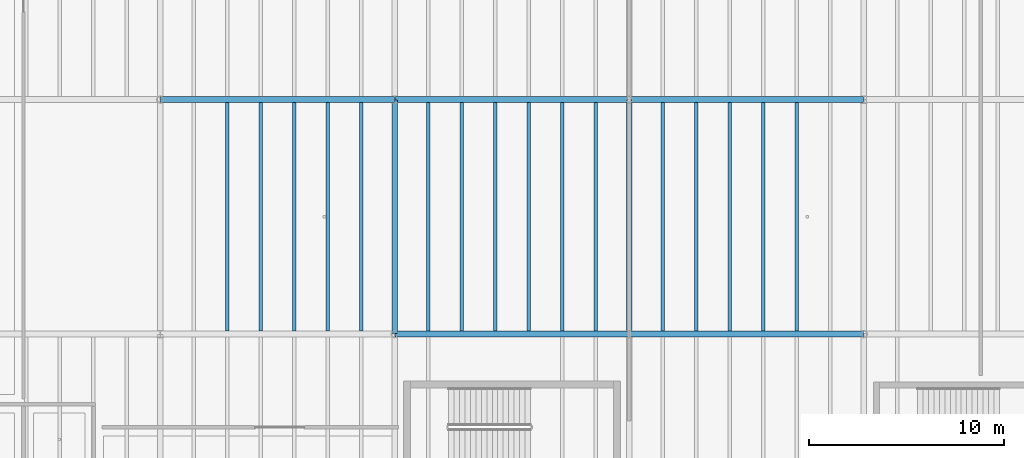
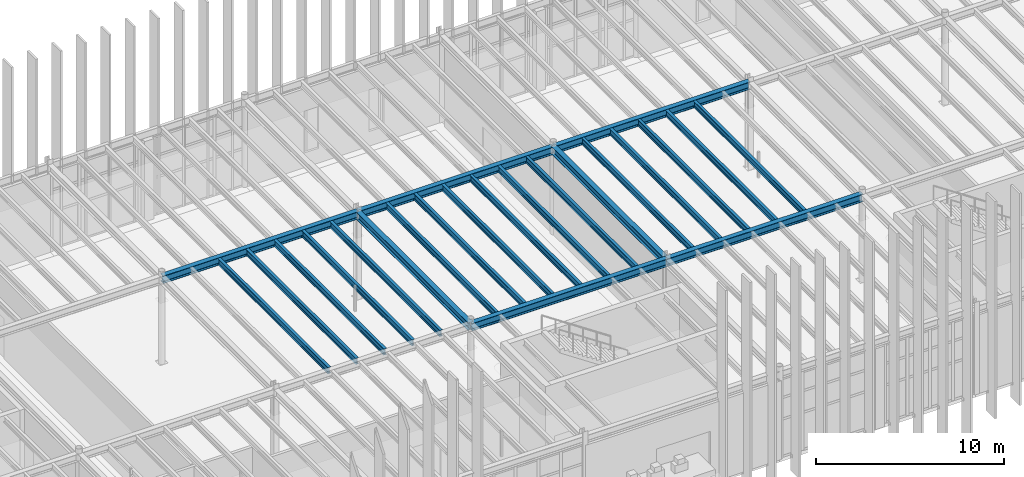
# One storey, part 24 of 83: 23 beams.
"""IFC4 building model written with IfcOpenShell, lengths in metres."""

from ifc_helpers import new_model, si_unit, direction, frame, origin, origin_2d, place, context, subcontext, project, spatial, i_section, extrude, material, material_profile, profile_set, type_object, element, save


model = new_model("IFC4")

# Units and contexts
model_context = context("Model", 3, precision=1e-05, world=origin(), true_north=direction((0.0, 1.0)))
body_context = subcontext(model_context, "Body", "Model", "MODEL_VIEW")
ifc_project = project(units=[si_unit("LENGTHUNIT", "METRE"), si_unit("AREAUNIT", "SQUARE_METRE"), si_unit("VOLUMEUNIT", "CUBIC_METRE"), si_unit("PLANEANGLEUNIT", "RADIAN"), si_unit("MASSUNIT", "GRAM", prefix="KILO")], contexts=[model_context])

# Site, building, storey
site_placement = place(None, origin())
site = spatial("IfcSite", under=ifc_project, at=site_placement, CompositionType="ELEMENT")
building_placement = place(site_placement, origin())
building = spatial("IfcBuilding", under=site, at=building_placement, Name="Zlatogorsky Bluff Art Gallery", CompositionType="ELEMENT")
storey_placement = place(building_placement, frame((0.0, 0.0, 10.800048828125)))
storey = spatial("IfcBuildingStorey", under=building, at=storey_placement, Name="L02", CompositionType="ELEMENT", Elevation=10.800048828125)

# Beams
ifc_material = material(Name="Steel S355", Category="steel")
ifc_material_profile_1 = material_profile(ifc_material, i_section(OverallWidth=0.300048828125, OverallDepth=0.489990234375, WebThickness=0.011962890625, FlangeThickness=0.02294921875, FilletRadius=0.027099609375, at=origin_2d()), Name="HEA 500")
ifc_profile_set_1 = profile_set([ifc_material_profile_1], Name="Steel S355")
beam_type_1 = type_object("IfcBeamType", Name="Beam BM-07 HEA 500", PredefinedType="BEAM", material=ifc_profile_set_1)
for number, where, z_axis, x_axis, name in (
    (1, (60.014892578125, 108.0, 5.445068359375), (1.0, 0.0, 0.0), (0.0, 1.0, 0.0), "Primary girder BM-07 L02 F-G/11"),
    (2, (72.014892578125, 96.0, 5.445068359375), (1.0, 0.0, 0.0), (0.0, 1.0, 0.0), "Primary girder BM-07 L02 G-H/10"),
    (3, (72.014892578125, 108.0, 5.445068359375), (1.0, 0.0, 0.0), (0.0, 1.0, 0.0), "Primary girder BM-07 L02 G-H/11"),
    (4, (84.014892578125, 96.0, 5.445068359375), (1.0, 0.0, 0.0), (0.0, 1.0, 0.0), "Primary girder BM-07 L02 H-J/10"),
    (5, (84.014892578125, 108.0, 5.445068359375), (1.0, 0.0, 0.0), (0.0, 1.0, 0.0), "Primary girder BM-07 L02 H-J/11"),
    (6, (72.0, 96.014892578125, 5.445068359375), (0.0, 1.0, 0.0), (-1.0, 0.0, 0.0), "Primary girder BM-07 L02 G/10-11"),
    (7, (84.0, 96.014892578125, 5.445068359375), (0.0, 1.0, 0.0), (-1.0, 0.0, 0.0), "Primary girder BM-07 L02 H/10-11"),
):
    element("IfcBeam", number, at=place(storey_placement, frame(where, z_axis=z_axis, x_axis=x_axis)), inside=storey, type_object=beam_type_1, Name=name, PredefinedType="BEAM", context=body_context, shape_type="SweptSolid", body=[
        extrude(i_section(OverallWidth=0.300048828125, OverallDepth=0.489990234375, WebThickness=0.011962890625, FlangeThickness=0.02294921875, FilletRadius=0.027099609375, at=origin_2d()), origin(), (0.0, 0.0, 1.0), 11.97021484375),
    ])
ifc_material_profile_2 = material_profile(ifc_material, i_section(OverallWidth=0.179931640625, OverallDepth=0.39990234375, WebThickness=0.008544921875, FlangeThickness=0.013427734375, FilletRadius=0.02099609375, at=origin_2d()), Name="IPE 400")
ifc_profile_set_2 = profile_set([ifc_material_profile_2], Name="Steel S355")
beam_type_2 = type_object("IfcBeamType", Name="Beam JS-05 IPE 400", PredefinedType="JOIST", material=ifc_profile_set_2)
for number, where, z_axis, x_axis, name in (
    (8, (63.428466796875, 96.14990234375, 5.489990234375), (0.0, 1.0, 0.0), (-1.0, 0.0, 0.0), "Composite floor joist JS-05 L02 05.09.2"),
    (9, (65.142822265625, 96.14990234375, 5.489990234375), (0.0, 1.0, 0.0), (-1.0, 0.0, 0.0), "Composite floor joist JS-05 L02 05.09.3"),
    (10, (66.857177734375, 96.14990234375, 5.489990234375), (0.0, 1.0, 0.0), (-1.0, 0.0, 0.0), "Composite floor joist JS-05 L02 05.09.4"),
    (11, (68.571533203125, 96.14990234375, 5.489990234375), (0.0, 1.0, 0.0), (-1.0, 0.0, 0.0), "Composite floor joist JS-05 L02 05.09.5"),
    (12, (70.28564453125, 96.14990234375, 5.489990234375), (0.0, 1.0, 0.0), (-1.0, 0.0, 0.0), "Composite floor joist JS-05 L02 05.09.6"),
    (13, (73.71435546875, 96.14990234375, 5.489990234375), (0.0, 1.0, 0.0), (-1.0, 0.0, 0.0), "Composite floor joist JS-05 L02 06.09.1"),
    (14, (75.428466796875, 96.14990234375, 5.489990234375), (0.0, 1.0, 0.0), (-1.0, 0.0, 0.0), "Composite floor joist JS-05 L02 06.09.2"),
    (15, (77.142822265625, 96.14990234375, 5.489990234375), (0.0, 1.0, 0.0), (-1.0, 0.0, 0.0), "Composite floor joist JS-05 L02 06.09.3"),
    (16, (78.857177734375, 96.14990234375, 5.489990234375), (0.0, 1.0, 0.0), (-1.0, 0.0, 0.0), "Composite floor joist JS-05 L02 06.09.4"),
    (17, (80.571533203125, 96.14990234375, 5.489990234375), (0.0, 1.0, 0.0), (-1.0, 0.0, 0.0), "Composite floor joist JS-05 L02 06.09.5"),
    (18, (82.28564453125, 96.14990234375, 5.489990234375), (0.0, 1.0, 0.0), (-1.0, 0.0, 0.0), "Composite floor joist JS-05 L02 06.09.6"),
    (19, (85.71435546875, 96.14990234375, 5.489990234375), (0.0, 1.0, 0.0), (-1.0, 0.0, 0.0), "Composite floor joist JS-05 L02 07.09.1"),
    (20, (87.428466796875, 96.14990234375, 5.489990234375), (0.0, 1.0, 0.0), (-1.0, 0.0, 0.0), "Composite floor joist JS-05 L02 07.09.2"),
    (21, (89.142822265625, 96.14990234375, 5.489990234375), (0.0, 1.0, 0.0), (-1.0, 0.0, 0.0), "Composite floor joist JS-05 L02 07.09.3"),
    (22, (90.857177734375, 96.14990234375, 5.489990234375), (0.0, 1.0, 0.0), (-1.0, 0.0, 0.0), "Composite floor joist JS-05 L02 07.09.4"),
    (23, (92.571533203125, 96.14990234375, 5.489990234375), (0.0, 1.0, 0.0), (-1.0, 0.0, 0.0), "Composite floor joist JS-05 L02 07.09.5"),
):
    element("IfcBeam", number, at=place(storey_placement, frame(where, z_axis=z_axis, x_axis=x_axis)), inside=storey, type_object=beam_type_2, Name=name, PredefinedType="JOIST", context=body_context, shape_type="SweptSolid", body=[
        extrude(i_section(OverallWidth=0.179931640625, OverallDepth=0.39990234375, WebThickness=0.008544921875, FlangeThickness=0.013427734375, FilletRadius=0.02099609375, at=origin_2d()), origin(), (0.0, 0.0, 1.0), 11.7001953125),
    ])

save(model, "model.ifc")
